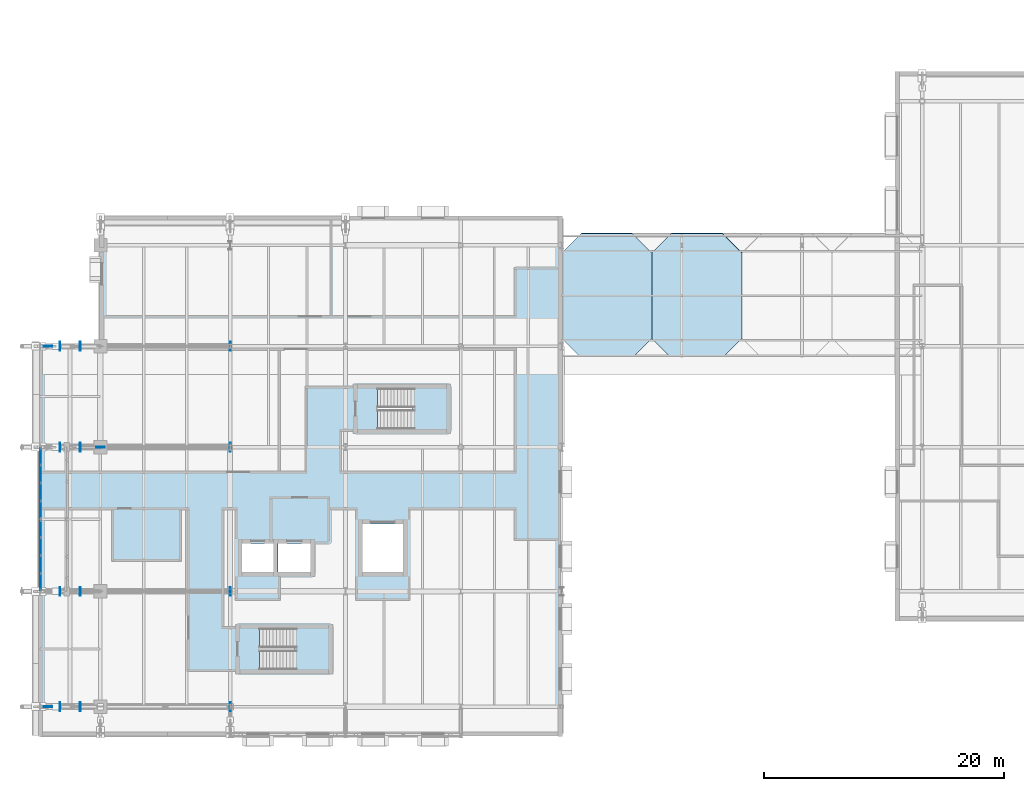
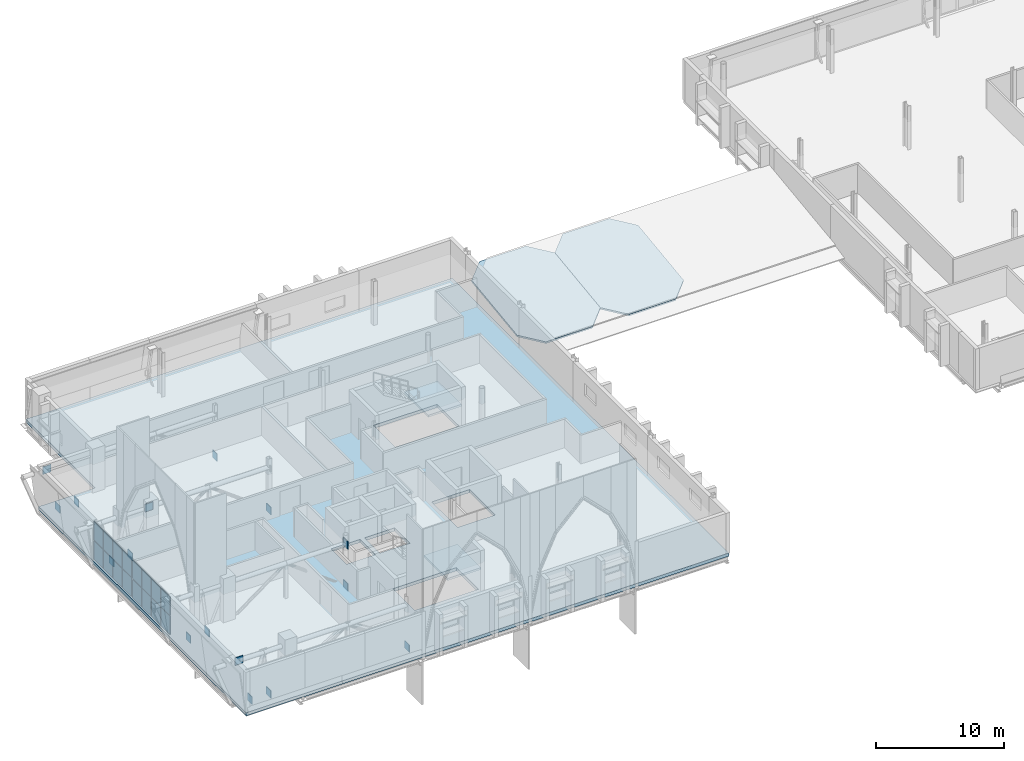
# One storey, part 42 of 90: 32 plates, 5 slabs, 5 elements without a shape of their own.
"""IFC4 building model written with IfcOpenShell, lengths in metres."""

from ifc_helpers import new_model, si_unit, direction, frame, origin, origin_2d, place, context, subcontext, project, spatial, polyline, rectangle, outline, extrude, material, layer, layer_set, type_object, element, aggregate, save


model = new_model("IFC4")

# Units and contexts
model_context = context("Model", 3, precision=1e-05, world=origin(), true_north=direction((0.0, 1.0)))
body_context = subcontext(model_context, "Body", "Model", "MODEL_VIEW")
ifc_project = project(units=[si_unit("LENGTHUNIT", "METRE"), si_unit("AREAUNIT", "SQUARE_METRE"), si_unit("VOLUMEUNIT", "CUBIC_METRE"), si_unit("PLANEANGLEUNIT", "RADIAN"), si_unit("MASSUNIT", "GRAM", prefix="KILO")], contexts=[model_context])

# Site, building, storey
site_placement = place(None, origin())
site = spatial("IfcSite", under=ifc_project, at=site_placement, CompositionType="ELEMENT")
building_placement = place(site_placement, origin())
building = spatial("IfcBuilding", under=site, at=building_placement, Name="Zereglee Splitstone Museum", CompositionType="ELEMENT")
storey_placement = place(building_placement, frame((0.0, 0.0, 4.800048828125)))
storey = spatial("IfcBuildingStorey", under=building, at=storey_placement, Name="L01", CompositionType="ELEMENT", Elevation=4.800048828125)

# Curtain wall, plates
ifc_material_1 = material(Name="Triple-glazed low-E argon glass and bronze-anodised aluminium", Category="aluminium")
ifc_layer_1 = layer(ifc_material_1, 0.219970703125)
ifc_layer_set_1 = layer_set([ifc_layer_1], Name="Triple-glazed low-E argon glass and bronze-anodised aluminium")
curtain_wall_type_1 = type_object("IfcCurtainWallType", Name="CW-0596-378", PredefinedType="USERDEFINED", material=ifc_layer_set_1)
curtain_wall_1_placement = place(storey_placement, origin())
curtain_wall_1 = element("IfcCurtainWall", 1, at=curtain_wall_1_placement, inside=storey, type_object=curtain_wall_type_1, Name="Glazed Curtain Wall CW-0596-378 (L01)", ObjectType="GLAZED CURTAIN WALL", PredefinedType="USERDEFINED")
ifc_material_2 = material(Name="Triple low-e argon insulated safety glass", Category="glass")
ifc_layer_2 = layer(ifc_material_2, 0.035888671875)
ifc_layer_set_2 = layer_set([ifc_layer_2], Name="Triple low-e argon insulated safety glass")
plate_type_1 = type_object("IfcPlateType", Name="CWP-01", PredefinedType="CURTAIN_PANEL", material=ifc_layer_set_2)
plate_1_placement = place(storey_placement, frame((4.6201171875, 20.836181640625, 0.07470703125), z_axis=(0.0, 0.0, 1.0), x_axis=(0.0, -1.0, 0.0)))
plate_1 = element("IfcPlate", 2, at=plate_1_placement, type_object=plate_type_1, Name="CW-0596-378 panel 1.1", PredefinedType="CURTAIN_PANEL", context=body_context, shape_type="SweptSolid", body=[
    extrude(rectangle(XDim=1.37744140625, YDim=0.035888671875, at=origin_2d()), origin(), (0.0, 0.0, 1.0), 1.777587890625),
])
plate_2_placement = place(storey_placement, frame((4.6201171875, 20.836181640625, 1.92724609375), z_axis=(0.0, 0.0, 1.0), x_axis=(0.0, -1.0, 0.0)))
plate_2 = element("IfcPlate", 3, at=plate_2_placement, type_object=plate_type_1, Name="CW-0596-378 panel 1.2", PredefinedType="CURTAIN_PANEL", context=body_context, shape_type="SweptSolid", body=[
    extrude(rectangle(XDim=1.37744140625, YDim=0.035888671875, at=origin_2d()), origin(), (0.0, 0.0, 1.0), 1.777587890625),
])
plate_3_placement = place(storey_placement, frame((4.6201171875, 19.364990234375, 0.07470703125), z_axis=(0.0, 0.0, 1.0), x_axis=(0.0, -1.0, 0.0)))
plate_3 = element("IfcPlate", 4, at=plate_3_placement, type_object=plate_type_1, Name="CW-0596-378 panel 2.1", PredefinedType="CURTAIN_PANEL", context=body_context, shape_type="SweptSolid", body=[
    extrude(rectangle(XDim=1.4150390625, YDim=0.035888671875, at=origin_2d()), origin(), (0.0, 0.0, 1.0), 1.777587890625),
])
plate_4_placement = place(storey_placement, frame((4.6201171875, 19.364990234375, 1.92724609375), z_axis=(0.0, 0.0, 1.0), x_axis=(0.0, -1.0, 0.0)))
plate_4 = element("IfcPlate", 5, at=plate_4_placement, type_object=plate_type_1, Name="CW-0596-378 panel 2.2", PredefinedType="CURTAIN_PANEL", context=body_context, shape_type="SweptSolid", body=[
    extrude(rectangle(XDim=1.4150390625, YDim=0.035888671875, at=origin_2d()), origin(), (0.0, 0.0, 1.0), 1.777587890625),
])
plate_5_placement = place(storey_placement, frame((4.6201171875, 17.875, 0.07470703125), z_axis=(0.0, 0.0, 1.0), x_axis=(0.0, -1.0, 0.0)))
plate_5 = element("IfcPlate", 6, at=plate_5_placement, type_object=plate_type_1, Name="CW-0596-378 panel 3.1", PredefinedType="CURTAIN_PANEL", context=body_context, shape_type="SweptSolid", body=[
    extrude(rectangle(XDim=1.4150390625, YDim=0.035888671875, at=origin_2d()), origin(), (0.0, 0.0, 1.0), 1.777587890625),
])
plate_6_placement = place(storey_placement, frame((4.6201171875, 17.875, 1.92724609375), z_axis=(0.0, 0.0, 1.0), x_axis=(0.0, -1.0, 0.0)))
plate_6 = element("IfcPlate", 7, at=plate_6_placement, type_object=plate_type_1, Name="CW-0596-378 panel 3.2", PredefinedType="CURTAIN_PANEL", context=body_context, shape_type="SweptSolid", body=[
    extrude(rectangle(XDim=1.4150390625, YDim=0.035888671875, at=origin_2d()), origin(), (0.0, 0.0, 1.0), 1.777587890625),
])
plate_7_placement = place(storey_placement, frame((4.6201171875, 16.40380859375, 0.07470703125), z_axis=(0.0, 0.0, 1.0), x_axis=(0.0, -1.0, 0.0)))
plate_7 = element("IfcPlate", 8, at=plate_7_placement, type_object=plate_type_1, Name="CW-0596-378 panel 4.1", PredefinedType="CURTAIN_PANEL", context=body_context, shape_type="SweptSolid", body=[
    extrude(rectangle(XDim=1.37744140625, YDim=0.035888671875, at=origin_2d()), origin(), (0.0, 0.0, 1.0), 1.777587890625),
])
plate_8_placement = place(storey_placement, frame((4.6201171875, 16.40380859375, 1.92724609375), z_axis=(0.0, 0.0, 1.0), x_axis=(0.0, -1.0, 0.0)))
plate_8 = element("IfcPlate", 9, at=plate_8_placement, type_object=plate_type_1, Name="CW-0596-378 panel 4.2", PredefinedType="CURTAIN_PANEL", context=body_context, shape_type="SweptSolid", body=[
    extrude(rectangle(XDim=1.37744140625, YDim=0.035888671875, at=origin_2d()), origin(), (0.0, 0.0, 1.0), 1.777587890625),
])
aggregate(curtain_wall_1, [plate_1, plate_2, plate_3, plate_4, plate_5, plate_6, plate_7, plate_8])

ifc_layer_3 = layer(ifc_material_1, 0.219970703125)
ifc_layer_set_3 = layer_set([ifc_layer_3], Name="Triple-glazed low-E argon glass and bronze-anodised aluminium")
curtain_wall_type_2 = type_object("IfcCurtainWallType", Name="CW-0596-376", PredefinedType="USERDEFINED", material=ifc_layer_set_3)
curtain_wall_2_placement = place(storey_placement, origin())
curtain_wall_2 = element("IfcCurtainWall", 10, at=curtain_wall_2_placement, inside=storey, type_object=curtain_wall_type_2, Name="Glazed Curtain Wall CW-0596-376 (L01)", ObjectType="GLAZED CURTAIN WALL", PredefinedType="USERDEFINED")
plate_9_placement = place(storey_placement, frame((4.6201171875, 14.796142578125, 0.074951171875), z_axis=(0.0, 0.0, 1.0), x_axis=(0.0, -1.0, 0.0)))
plate_9 = element("IfcPlate", 11, at=plate_9_placement, type_object=plate_type_1, Name="CW-0596-376 panel 1.1", PredefinedType="CURTAIN_PANEL", context=body_context, shape_type="SweptSolid", body=[
    extrude(rectangle(XDim=1.37744140625, YDim=0.035888671875, at=origin_2d()), origin(), (0.0, 0.0, 1.0), 1.767578125),
])
plate_10_placement = place(storey_placement, frame((4.6201171875, 14.796142578125, 1.91748046875), z_axis=(0.0, 0.0, 1.0), x_axis=(0.0, -1.0, 0.0)))
plate_10 = element("IfcPlate", 12, at=plate_10_placement, type_object=plate_type_1, Name="CW-0596-376 panel 1.2", PredefinedType="CURTAIN_PANEL", context=body_context, shape_type="SweptSolid", body=[
    extrude(rectangle(XDim=1.37744140625, YDim=0.035888671875, at=origin_2d()), origin(), (0.0, 0.0, 1.0), 1.767578125),
])
plate_11_placement = place(storey_placement, frame((4.6201171875, 13.324951171875, 0.074951171875), z_axis=(0.0, 0.0, 1.0), x_axis=(0.0, -1.0, 0.0)))
plate_11 = element("IfcPlate", 13, at=plate_11_placement, type_object=plate_type_1, Name="CW-0596-376 panel 2.1", PredefinedType="CURTAIN_PANEL", context=body_context, shape_type="SweptSolid", body=[
    extrude(rectangle(XDim=1.4150390625, YDim=0.035888671875, at=origin_2d()), origin(), (0.0, 0.0, 1.0), 1.767578125),
])
plate_12_placement = place(storey_placement, frame((4.6201171875, 13.324951171875, 1.91748046875), z_axis=(0.0, 0.0, 1.0), x_axis=(0.0, -1.0, 0.0)))
plate_12 = element("IfcPlate", 14, at=plate_12_placement, type_object=plate_type_1, Name="CW-0596-376 panel 2.2", PredefinedType="CURTAIN_PANEL", context=body_context, shape_type="SweptSolid", body=[
    extrude(rectangle(XDim=1.4150390625, YDim=0.035888671875, at=origin_2d()), origin(), (0.0, 0.0, 1.0), 1.767578125),
])
plate_13_placement = place(storey_placement, frame((4.6201171875, 11.8349609375, 0.074951171875), z_axis=(0.0, 0.0, 1.0), x_axis=(0.0, -1.0, 0.0)))
plate_13 = element("IfcPlate", 15, at=plate_13_placement, type_object=plate_type_1, Name="CW-0596-376 panel 3.1", PredefinedType="CURTAIN_PANEL", context=body_context, shape_type="SweptSolid", body=[
    extrude(rectangle(XDim=1.4150390625, YDim=0.035888671875, at=origin_2d()), origin(), (0.0, 0.0, 1.0), 1.767578125),
])
plate_14_placement = place(storey_placement, frame((4.6201171875, 11.8349609375, 1.91748046875), z_axis=(0.0, 0.0, 1.0), x_axis=(0.0, -1.0, 0.0)))
plate_14 = element("IfcPlate", 16, at=plate_14_placement, type_object=plate_type_1, Name="CW-0596-376 panel 3.2", PredefinedType="CURTAIN_PANEL", context=body_context, shape_type="SweptSolid", body=[
    extrude(rectangle(XDim=1.4150390625, YDim=0.035888671875, at=origin_2d()), origin(), (0.0, 0.0, 1.0), 1.767578125),
])
plate_15_placement = place(storey_placement, frame((4.6201171875, 10.36376953125, 0.074951171875), z_axis=(0.0, 0.0, 1.0), x_axis=(0.0, -1.0, 0.0)))
plate_15 = element("IfcPlate", 17, at=plate_15_placement, type_object=plate_type_1, Name="CW-0596-376 panel 4.1", PredefinedType="CURTAIN_PANEL", context=body_context, shape_type="SweptSolid", body=[
    extrude(rectangle(XDim=1.37744140625, YDim=0.035888671875, at=origin_2d()), origin(), (0.0, 0.0, 1.0), 1.767578125),
])
plate_16_placement = place(storey_placement, frame((4.6201171875, 10.36376953125, 1.91748046875), z_axis=(0.0, 0.0, 1.0), x_axis=(0.0, -1.0, 0.0)))
plate_16 = element("IfcPlate", 18, at=plate_16_placement, type_object=plate_type_1, Name="CW-0596-376 panel 4.2", PredefinedType="CURTAIN_PANEL", context=body_context, shape_type="SweptSolid", body=[
    extrude(rectangle(XDim=1.37744140625, YDim=0.035888671875, at=origin_2d()), origin(), (0.0, 0.0, 1.0), 1.767578125),
])
aggregate(curtain_wall_2, [plate_9, plate_10, plate_11, plate_12, plate_13, plate_14, plate_15, plate_16])

# Plates
ifc_material_3 = material(Name="Steel S355J2", Category="steel")
ifc_layer_4 = layer(ifc_material_3, 0.06005859375)
ifc_layer_set_4 = layer_set([ifc_layer_4], Name="Steel S355J2")
plate_type_2 = type_object("IfcPlateType", Name="NP-01", PredefinedType="SHEET", material=ifc_layer_set_4)
plate_17_placement = place(storey_placement, frame((5.2333984375, 0.0, 2.93994140625), z_axis=(0.0, 0.0, 1.0), x_axis=(1.0, 0.0, 0.0)))
element("IfcPlate", 19, at=plate_17_placement, inside=storey, type_object=plate_type_2, Name="Cantilever Truss Node Plate CN-01", PredefinedType="SHEET", context=body_context, shape_type="SweptSolid", body=[
    extrude(rectangle(XDim=0.719970703125, YDim=0.06005859375, at=origin_2d()), origin(), (0.0, 0.0, 1.0), 0.719970703125),
])
for number, where, z_axis, x_axis, name in (
    (20, (6.2333984375, 0.0, -1.06005859375), (0.0, 0.0, 1.0), (1.0, 0.0, 0.0), "Cantilever Truss L01 Cap CN-01"),
    (21, (7.916748046875, 0.0, -1.06005859375), (0.0, 0.0, 1.0), (1.0, 0.0, 0.0), "Cantilever Truss L01 Cap CN-01"),
    (22, (20.39990234375, 0.0, -1.06005859375), (0.0, 0.0, 1.0), (1.0, 0.0, 0.0), "Cantilever Truss L01 Cap CN-01"),
    (23, (20.39990234375, 9.60009765625, 2.93994140625), (0.0, 0.0, 1.0), (1.0, 0.0, 0.0), "Cantilever Truss Node Plate CN-02"),
    (24, (6.2333984375, 9.60009765625, -1.06005859375), (0.0, 0.0, 1.0), (1.0, 0.0, 0.0), "Cantilever Truss L01 Cap CN-02"),
    (25, (7.916748046875, 9.60009765625, -1.06005859375), (0.0, 0.0, 1.0), (1.0, 0.0, 0.0), "Cantilever Truss L01 Cap CN-02"),
    (26, (20.39990234375, 9.60009765625, -1.06005859375), (0.0, 0.0, 1.0), (1.0, 0.0, 0.0), "Cantilever Truss L01 Cap CN-02"),
):
    element("IfcPlate", number, at=place(storey_placement, frame(where, z_axis=z_axis, x_axis=x_axis)), inside=storey, type_object=plate_type_2, Name=name, PredefinedType="SHEET", context=body_context, shape_type="SweptSolid", body=[
        extrude(rectangle(XDim=0.06005859375, YDim=0.719970703125, at=origin_2d()), origin(), (0.0, 0.0, 1.0), 0.719970703125),
    ])
plate_18_placement = place(storey_placement, frame((9.60009765625, 21.60009765625, 2.93994140625), z_axis=(0.0, 0.0, 1.0), x_axis=(1.0, 0.0, 0.0)))
element("IfcPlate", 27, at=plate_18_placement, inside=storey, type_object=plate_type_2, Name="Cantilever Truss Node Plate CN-03", PredefinedType="SHEET", context=body_context, shape_type="SweptSolid", body=[
    extrude(rectangle(XDim=0.719970703125, YDim=0.06005859375, at=origin_2d()), origin(), (0.0, 0.0, 1.0), 0.719970703125),
])
for number, where, z_axis, x_axis, name in (
    (28, (6.2333984375, 21.60009765625, -1.06005859375), (0.0, 0.0, 1.0), (1.0, 0.0, 0.0), "Cantilever Truss L01 Cap CN-03"),
    (29, (7.916748046875, 21.60009765625, -1.06005859375), (0.0, 0.0, 1.0), (1.0, 0.0, 0.0), "Cantilever Truss L01 Cap CN-03"),
    (30, (20.39990234375, 21.60009765625, -1.06005859375), (0.0, 0.0, 1.0), (1.0, 0.0, 0.0), "Cantilever Truss L01 Cap CN-03"),
):
    element("IfcPlate", number, at=place(storey_placement, frame(where, z_axis=z_axis, x_axis=x_axis)), inside=storey, type_object=plate_type_2, Name=name, PredefinedType="SHEET", context=body_context, shape_type="SweptSolid", body=[
        extrude(rectangle(XDim=0.06005859375, YDim=0.719970703125, at=origin_2d()), origin(), (0.0, 0.0, 1.0), 0.719970703125),
    ])
plate_19_placement = place(storey_placement, frame((5.2333984375, 30.0, 2.93994140625), z_axis=(0.0, 0.0, 1.0), x_axis=(1.0, 0.0, 0.0)))
element("IfcPlate", 31, at=plate_19_placement, inside=storey, type_object=plate_type_2, Name="Cantilever Truss Node Plate CN-04", PredefinedType="SHEET", context=body_context, shape_type="SweptSolid", body=[
    extrude(rectangle(XDim=0.719970703125, YDim=0.06005859375, at=origin_2d()), origin(), (0.0, 0.0, 1.0), 0.719970703125),
])
for number, where, z_axis, x_axis, name in (
    (32, (6.2333984375, 30.0, -1.06005859375), (0.0, 0.0, 1.0), (1.0, 0.0, 0.0), "Cantilever Truss L01 Cap CN-04"),
    (33, (7.916748046875, 30.0, -1.06005859375), (0.0, 0.0, 1.0), (1.0, 0.0, 0.0), "Cantilever Truss L01 Cap CN-04"),
    (34, (20.39990234375, 30.0, -1.06005859375), (0.0, 0.0, 1.0), (1.0, 0.0, 0.0), "Cantilever Truss L01 Cap CN-04"),
):
    element("IfcPlate", number, at=place(storey_placement, frame(where, z_axis=z_axis, x_axis=x_axis)), inside=storey, type_object=plate_type_2, Name=name, PredefinedType="SHEET", context=body_context, shape_type="SweptSolid", body=[
        extrude(rectangle(XDim=0.06005859375, YDim=0.719970703125, at=origin_2d()), origin(), (0.0, 0.0, 1.0), 0.719970703125),
    ])

# Slab
ifc_material_4 = material(Name="Concrete C35/45", Category="concrete")
ifc_layer_5 = layer(ifc_material_4, 0.300048828125)
ifc_layer_set_5 = layer_set([ifc_layer_5], Name="Concrete C35/45")
slab_type_1 = type_object("IfcSlabType", Name="FS-02", PredefinedType="FLOOR", material=ifc_layer_set_5)
slab_1_placement = place(storey_placement, frame((0.0, 0.0, -0.300048828125)))
element("IfcSlab", 35, at=slab_1_placement, inside=storey, type_object=slab_type_1, Name="Gallery Floor Slab L01-V1", PredefinedType="FLOOR", context=body_context, shape_type="SweptSolid", body=[
    extrude(outline(polyline([(48.0, -2.39990234375), (4.5, -2.39990234375), (4.5, 30.0), (9.60009765625, 30.0), (9.60009765625, 40.800048828125), (48.0, 40.800048828125), (48.0, 30.0), (48.0, -2.39990234375)]), holes=[polyline([(22.85400390625, 3.10009765625), (28.60009765625, 3.10009765625), (28.60009765625, 6.5), (22.85400390625, 6.5), (22.85400390625, 3.10009765625)]), polyline([(32.654052734375, 23.10009765625), (38.39990234375, 23.10009765625), (38.39990234375, 26.5), (32.654052734375, 26.5), (32.654052734375, 23.10009765625)]), polyline([(21.39990234375, 11.199951171875), (24.0, 11.199951171875), (24.0, 13.60009765625), (21.39990234375, 13.60009765625), (21.39990234375, 11.199951171875)]), polyline([(24.39990234375, 11.199951171875), (27.10009765625, 11.199951171875), (27.10009765625, 13.60009765625), (24.39990234375, 13.60009765625), (24.39990234375, 11.199951171875)]), polyline([(31.39990234375, 11.199951171875), (34.800048828125, 11.199951171875), (34.800048828125, 15.199951171875), (31.39990234375, 15.199951171875), (31.39990234375, 11.199951171875)])]), origin(), (0.0, 0.0, 1.0), 0.300048828125),
])

# Roof, slabs
ifc_material_5 = material(Name="Standing-seam zinc roofing on Concrete C35/45", Category="concrete")
ifc_layer_6 = layer(ifc_material_5, 0.219970703125)
ifc_layer_set_6 = layer_set([ifc_layer_6], Name="Concrete C35/45")
roof_type = type_object("IfcRoofType", Name="RF-A1", PredefinedType="SHED_ROOF", material=ifc_layer_set_6)
roof_placement = place(storey_placement, origin())
roof = element("IfcRoof", 36, at=roof_placement, inside=storey, type_object=roof_type, Name="Sloping Split-Rock Roof Assembly RF-L1", PredefinedType="SHED_ROOF")
ifc_layer_7 = layer(ifc_material_4, 0.169921875)
ifc_layer_set_7 = layer_set([ifc_layer_7], Name="Concrete C35/45")
slab_type_2 = type_object("IfcSlabType", Name="RS-05", PredefinedType="ROOF", material=ifc_layer_set_7)
slab_2_placement = place(storey_placement, frame((49.64990234375, 29.0, 0.489990234375), z_axis=(0.0, -0.129655344624, 0.991559121591), x_axis=(1.0, 0.0, 0.0)))
slab_2 = element("IfcSlab", 37, at=slab_2_placement, type_object=slab_type_2, Name="Split-Rock Roof Slab RF-L1 Panel 1", PredefinedType="ROOF", context=body_context, shape_type="SweptSolid", body=[
    extrude(outline(polyline([(0.0, 0.0), (4.2001953125, 0.0), (5.85009765625, 1.6639579756738256), (5.85009765625, 8.82450525343658), (4.2001953125, 10.488431574973532), (0.0, 10.488431574973532), (-1.64990234375, 8.82450525343658), (-1.64990234375, 1.6639579756738256), (0.0, 0.0)])), origin(), (0.0, 0.0, -1.0), 0.169921875),
])
slab_3_placement = place(storey_placement, frame((57.14990234375, 29.0, 0.489990234375), z_axis=(0.0, -0.129655344624, 0.991559121591), x_axis=(1.0, 0.0, 0.0)))
slab_3 = element("IfcSlab", 38, at=slab_3_placement, type_object=slab_type_2, Name="Split-Rock Roof Slab RF-L1 Panel 2", PredefinedType="ROOF", context=body_context, shape_type="SweptSolid", body=[
    extrude(outline(polyline([(0.0, 0.0), (4.2001953125, 0.0), (5.85009765625, 1.6639579756738256), (5.85009765625, 8.82450525343658), (4.2001953125, 10.488431574973532), (0.0, 10.488431574973532), (-1.64990234375, 8.82450525343658), (-1.64990234375, 1.6639579756738256), (0.0, 0.0)])), origin(), (0.0, 0.0, -1.0), 0.169921875),
])
aggregate(roof, [slab_2, slab_3])

# Stair, slab
stair_type_1 = type_object("IfcStairType", Name="ST-01B", PredefinedType="HALF_TURN_STAIR", material=ifc_material_4)
stair_1_placement = place(storey_placement, origin())
stair_1 = element("IfcStair", 39, at=stair_1_placement, inside=storey, type_object=stair_type_1, Name="L01 Protected Exit Stair ST-01 B", PredefinedType="HALF_TURN_STAIR")
ifc_layer_8 = layer(ifc_material_4, 0.199951171875)
ifc_layer_set_8 = layer_set([ifc_layer_8], Name="Concrete C35/45")
slab_type_3 = type_object("IfcSlabType", Name="ST-01B", PredefinedType="LANDING", material=ifc_layer_set_8)
slab_4_placement = place(storey_placement, frame((0.0, 0.0, 1.89990234375)))
slab_4 = element("IfcSlab", 40, at=slab_4_placement, type_object=slab_type_3, Name="ST-01B landing 1", PredefinedType="LANDING", context=body_context, shape_type="SweptSolid", body=[
    extrude(outline(polyline([(25.75, 2.9599609375), (28.739990234375, 2.9599609375), (28.739990234375, 6.639892578125), (25.75, 6.639892578125), (25.75, 2.9599609375)])), origin(), (0.0, 0.0, 1.0), 0.199951171875),
])
aggregate(stair_1, [slab_4])

stair_type_2 = type_object("IfcStairType", Name="ST-02B", PredefinedType="HALF_TURN_STAIR", material=ifc_material_4)
stair_2_placement = place(storey_placement, origin())
stair_2 = element("IfcStair", 41, at=stair_2_placement, inside=storey, type_object=stair_type_2, Name="L01 Protected Exit Stair ST-02 B", PredefinedType="HALF_TURN_STAIR")
ifc_layer_9 = layer(ifc_material_4, 0.199951171875)
ifc_layer_set_9 = layer_set([ifc_layer_9], Name="Concrete C35/45")
slab_type_4 = type_object("IfcSlabType", Name="ST-02B", PredefinedType="LANDING", material=ifc_layer_set_9)
slab_5_placement = place(storey_placement, frame((0.0, 0.0, 1.89990234375)))
slab_5 = element("IfcSlab", 42, at=slab_5_placement, type_object=slab_type_4, Name="ST-02B landing 1", PredefinedType="LANDING", context=body_context, shape_type="SweptSolid", body=[
    extrude(outline(polyline([(35.550048828125, 22.9599609375), (38.5400390625, 22.9599609375), (38.5400390625, 26.639892578125), (35.550048828125, 26.639892578125), (35.550048828125, 22.9599609375)])), origin(), (0.0, 0.0, 1.0), 0.199951171875),
])
aggregate(stair_2, [slab_5])

save(model, "model.ifc")
